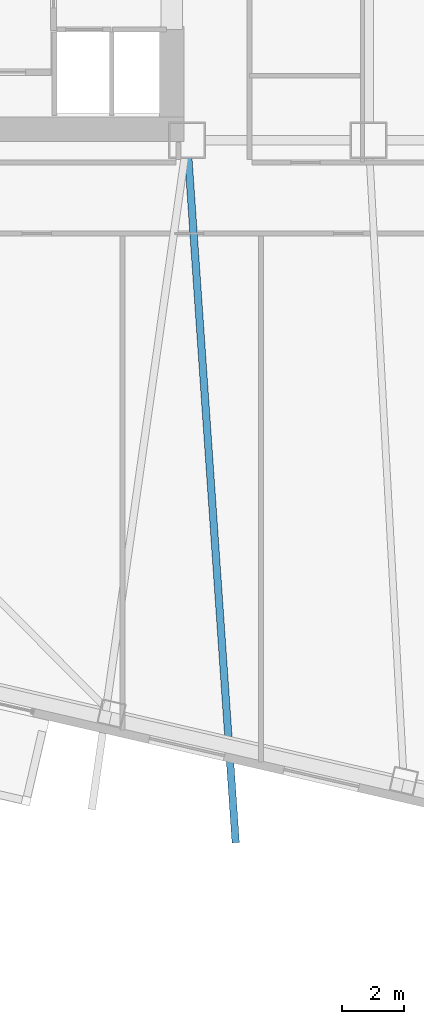
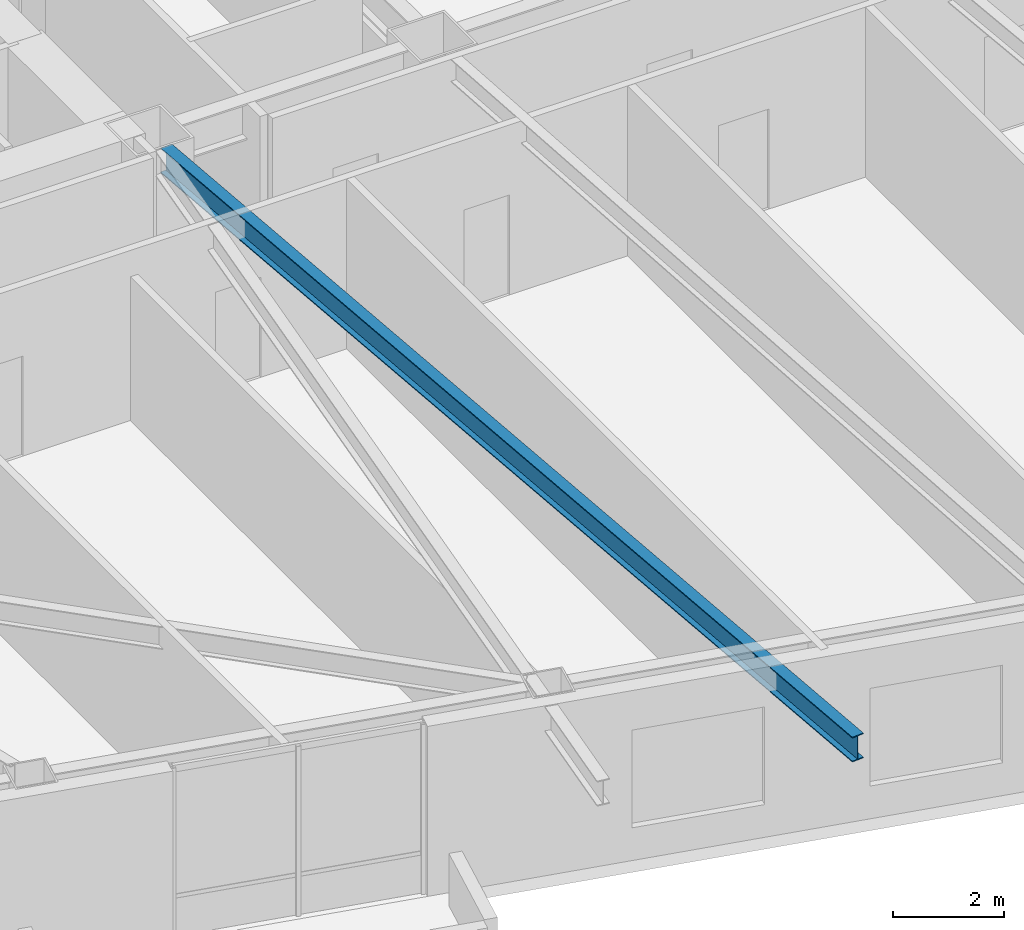
# One storey, part 5 of 22: 1 beam.
"""IFC4 building model written with IfcOpenShell, lengths in metres."""

from ifc_helpers import new_model, si_unit, direction, frame, origin, origin_2d, place, context, subcontext, project, spatial, i_section, extrude, material, material_profile, profile_set, type_object, element, save


model = new_model("IFC4")

# Units and contexts
model_context = context("Model", 3, precision=1e-05, world=origin(), true_north=direction((0.0, 1.0)))
body_context = subcontext(model_context, "Body", "Model", "MODEL_VIEW")
ifc_project = project(units=[si_unit("LENGTHUNIT", "METRE"), si_unit("AREAUNIT", "SQUARE_METRE"), si_unit("VOLUMEUNIT", "CUBIC_METRE"), si_unit("PLANEANGLEUNIT", "RADIAN"), si_unit("MASSUNIT", "GRAM", prefix="KILO")], contexts=[model_context])

# Site, building, storey
site_placement = place(None, origin())
site = spatial("IfcSite", under=ifc_project, at=site_placement, CompositionType="ELEMENT")
building_placement = place(site_placement, origin())
building = spatial("IfcBuilding", under=site, at=building_placement, Name="Tavrogorsk Clinical Tower", CompositionType="ELEMENT")
storey_placement = place(building_placement, frame((0.0, 0.0, 55.39990234375)))
storey = spatial("IfcBuildingStorey", under=building, at=storey_placement, Name="L11", CompositionType="ELEMENT", Elevation=55.39990234375)

# Beam
ifc_material = material(Name="Structural steel S390", Category="steel")
ifc_material_profile = material_profile(ifc_material, i_section(OverallWidth=0.239990234375, OverallDepth=0.550048828125, WebThickness=0.013916015625, FlangeThickness=0.02197265625, at=origin_2d()), Name="B-550x240x14x22")
ifc_profile_set = profile_set([ifc_material_profile], Name="Structural steel S390")
beam_type = type_object("IfcBeamType", Name="SpandrelBeam_B550", PredefinedType="SPANDREL", material=ifc_profile_set)
beam_placement = place(storey_placement, frame((-10.261474609375, -6.90869140625, 3.445068359375), z_axis=(0.068996132452, -0.997616927336, 0.0), x_axis=(0.997616927336, 0.068996132452, 0.0)))
element("IfcBeam", 1, at=beam_placement, inside=storey, type_object=beam_type, Name="L12 Spiral Terrace Cantilever Beam 2", PredefinedType="SPANDREL", context=body_context, shape_type="SweptSolid", body=[
    extrude(i_section(OverallWidth=0.239990234375, OverallDepth=0.550048828125, WebThickness=0.013916015625, FlangeThickness=0.02197265625, at=origin_2d()), origin(), (0.0, 0.0, 1.0), 22.32421875),
])

save(model, "model.ifc")
